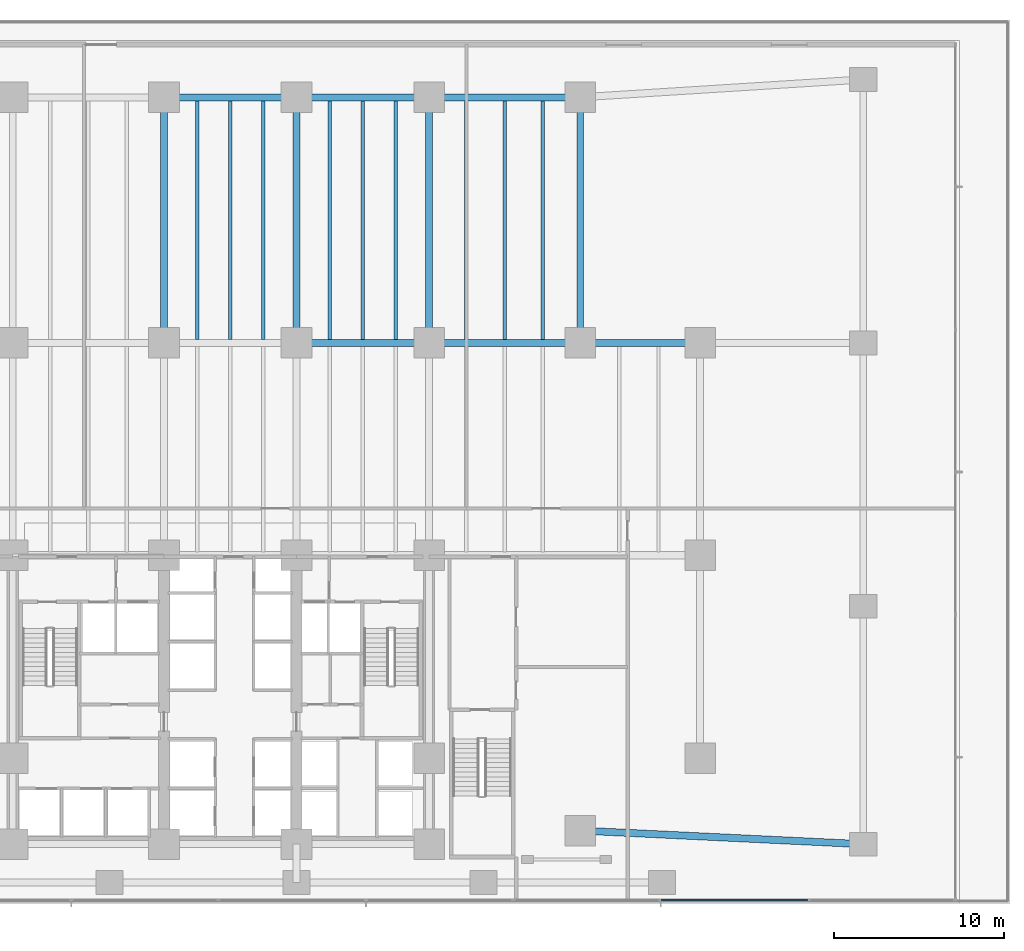
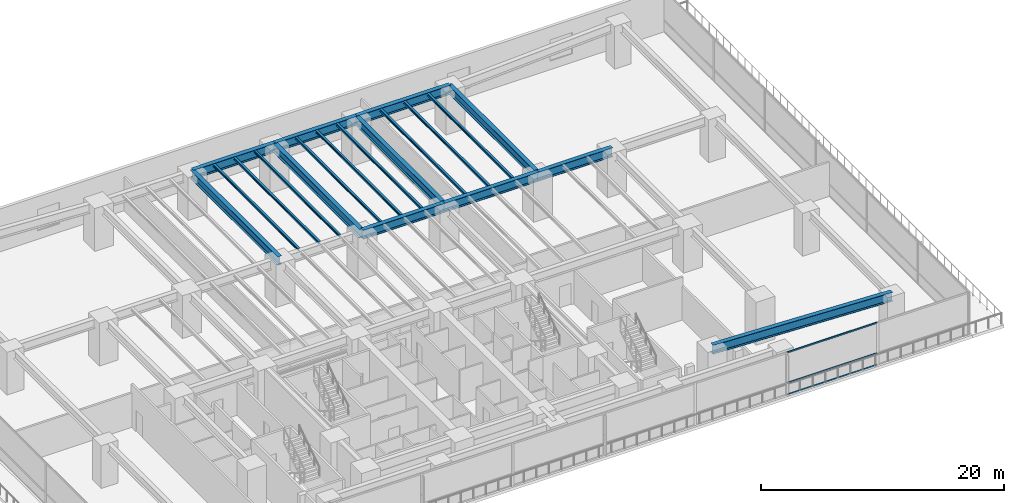
# One storey, part 6 of 27: 20 beams, 3 members, 1 element without a shape of its own.
"""IFC4 building model written with IfcOpenShell, lengths in metres."""

from ifc_helpers import new_model, si_unit, direction, frame, origin, origin_2d, place, context, subcontext, project, spatial, rectangle, i_section, extrude, material, layer, layer_set, material_profile, profile_set, type_object, element, aggregate, save


model = new_model("IFC4")

# Units and contexts
model_context = context("Model", 3, precision=1e-05, world=origin(), true_north=direction((0.0, 1.0)))
body_context = subcontext(model_context, "Body", "Model", "MODEL_VIEW")
ifc_project = project(units=[si_unit("LENGTHUNIT", "METRE"), si_unit("AREAUNIT", "SQUARE_METRE"), si_unit("VOLUMEUNIT", "CUBIC_METRE"), si_unit("PLANEANGLEUNIT", "RADIAN"), si_unit("MASSUNIT", "GRAM", prefix="KILO")], contexts=[model_context])

# Site, building, storey
site_placement = place(None, origin())
site = spatial("IfcSite", under=ifc_project, at=site_placement, CompositionType="ELEMENT")
building_placement = place(site_placement, origin())
building = spatial("IfcBuilding", under=site, at=building_placement, Name="Qalmaran Belvedere Hotel", CompositionType="ELEMENT")
storey_placement = place(building_placement, frame((0.0, 0.0, 5.39990234375)))
storey = spatial("IfcBuildingStorey", under=building, at=storey_placement, Name="L01", CompositionType="ELEMENT", Elevation=5.39990234375)

# Beams
ifc_material_1 = material(Name="Steel S355JR", Category="steel")
ifc_material_profile_1 = material_profile(ifc_material_1, i_section(OverallWidth=0.201904296875, OverallDepth=0.2470703125, WebThickness=0.00732421875, FlangeThickness=0.010986328125, FilletRadius=0.011962890625, at=origin_2d()), Name="W250X49")
ifc_profile_set_1 = profile_set([ifc_material_profile_1], Name="Steel S355JR")
beam_type_1 = type_object("IfcBeamType", Name="BM-JST-W250X49", PredefinedType="JOIST", material=ifc_profile_set_1)
for number, where, z_axis, x_axis, name in (
    (1, (31.14990234375, 33.20703125, 4.176513671875), (0.0, 1.0, 0.0), (-1.0, 0.0, 0.0), "L01 Podium North-Ballroom Joist 067"),
    (2, (33.10009765625, 33.20703125, 4.176513671875), (0.0, 1.0, 0.0), (-1.0, 0.0, 0.0), "L01 Podium North-Ballroom Joist 069"),
    (3, (35.050048828125, 33.20703125, 4.176513671875), (0.0, 1.0, 0.0), (-1.0, 0.0, 0.0), "L01 Podium North-Ballroom Joist 071"),
    (4, (38.949951171875, 33.20703125, 4.176513671875), (0.0, 1.0, 0.0), (-1.0, 0.0, 0.0), "L01 Podium North-Ballroom Joist 073"),
    (5, (40.89990234375, 33.20703125, 4.176513671875), (0.0, 1.0, 0.0), (-1.0, 0.0, 0.0), "L01 Podium North-Ballroom Joist 075"),
    (6, (42.85009765625, 33.20703125, 4.176513671875), (0.0, 1.0, 0.0), (-1.0, 0.0, 0.0), "L01 Podium North-Ballroom Joist 077"),
    (7, (47.0, 33.20703125, 4.176513671875), (0.0, 1.0, 0.0), (-1.0, 0.0, 0.0), "L01 Podium North-Ballroom Joist 079"),
    (8, (49.25, 33.20703125, 4.176513671875), (0.0, 1.0, 0.0), (-1.0, 0.0, 0.0), "L01 Podium North-Ballroom Joist 081"),
    (9, (51.5, 33.20703125, 4.176513671875), (0.0, 1.0, 0.0), (-1.0, 0.0, 0.0), "L01 Podium North-Ballroom Joist 083"),
):
    element("IfcBeam", number, at=place(storey_placement, frame(where, z_axis=z_axis, x_axis=x_axis)), inside=storey, type_object=beam_type_1, Name=name, PredefinedType="JOIST", context=body_context, shape_type="SweptSolid", body=[
        extrude(i_section(OverallWidth=0.201904296875, OverallDepth=0.2470703125, WebThickness=0.00732421875, FlangeThickness=0.010986328125, FilletRadius=0.011962890625, at=origin_2d()), origin(), (0.0, 0.0, 1.0), 14.035888671875),
    ])
ifc_material_profile_2 = material_profile(ifc_material_1, i_section(OverallWidth=0.41796875, OverallDepth=0.912109375, WebThickness=0.019287109375, FlangeThickness=0.031982421875, FilletRadius=0.02392578125, at=origin_2d()), Name="W920X342")
ifc_profile_set_2 = profile_set([ifc_material_profile_2], Name="Steel S355JR")
beam_type_2 = type_object("IfcBeamType", Name="BM-PG2-W920X342", PredefinedType="USERDEFINED", material=ifc_profile_set_2)
beam_1_placement = place(storey_placement, frame((53.699951171875, 4.300048828125, 3.843994140625), z_axis=(0.998847567159, -0.047995182885, 0.0), x_axis=(0.047995182885, 0.998847567159, 0.0)))
element("IfcBeam", 10, at=beam_1_placement, inside=storey, type_object=beam_type_2, Name="L01 Podium Primary Girder GX10", ObjectType="GIRDER", PredefinedType="USERDEFINED", context=body_context, shape_type="SweptSolid", body=[
    extrude(i_section(OverallWidth=0.41796875, OverallDepth=0.912109375, WebThickness=0.019287109375, FlangeThickness=0.031982421875, FilletRadius=0.02392578125, at=origin_2d()), origin(), (0.0, 0.0, 1.0), 16.66943359375),
])
beam_2_placement = place(storey_placement, frame((37.0, 33.0, 3.843994140625), z_axis=(1.0, 0.0, 0.0), x_axis=(0.0, 1.0, 0.0)))
element("IfcBeam", 11, at=beam_2_placement, inside=storey, type_object=beam_type_2, Name="L01 Podium Primary Girder GX22", ObjectType="GIRDER", PredefinedType="USERDEFINED", context=body_context, shape_type="SweptSolid", body=[
    extrude(i_section(OverallWidth=0.41796875, OverallDepth=0.912109375, WebThickness=0.019287109375, FlangeThickness=0.031982421875, FilletRadius=0.02392578125, at=origin_2d()), origin(), (0.0, 0.0, 1.0), 7.800048828125),
])
beam_3_placement = place(storey_placement, frame((44.800048828125, 33.0, 3.843994140625), z_axis=(1.0, 0.0, 0.0), x_axis=(0.0, 1.0, 0.0)))
element("IfcBeam", 12, at=beam_3_placement, inside=storey, type_object=beam_type_2, Name="L01 Podium Primary Girder GX23", ObjectType="GIRDER", PredefinedType="USERDEFINED", context=body_context, shape_type="SweptSolid", body=[
    extrude(i_section(OverallWidth=0.41796875, OverallDepth=0.912109375, WebThickness=0.019287109375, FlangeThickness=0.031982421875, FilletRadius=0.02392578125, at=origin_2d()), origin(), (0.0, 0.0, 1.0), 8.89990234375),
])
beam_4_placement = place(storey_placement, frame((53.699951171875, 33.0, 3.843994140625), z_axis=(1.0, 0.0, 0.0), x_axis=(0.0, 1.0, 0.0)))
element("IfcBeam", 13, at=beam_4_placement, inside=storey, type_object=beam_type_2, Name="L01 Podium Primary Girder GX24", ObjectType="GIRDER", PredefinedType="USERDEFINED", context=body_context, shape_type="SweptSolid", body=[
    extrude(i_section(OverallWidth=0.41796875, OverallDepth=0.912109375, WebThickness=0.019287109375, FlangeThickness=0.031982421875, FilletRadius=0.02392578125, at=origin_2d()), origin(), (0.0, 0.0, 1.0), 7.050048828125),
])
for number, where, z_axis, x_axis, name in (
    (14, (29.199951171875, 47.449951171875, 3.843994140625), (1.0, 0.0, 0.0), (0.0, 1.0, 0.0), "L01 Podium Primary Girder GX28"),
    (15, (37.0, 47.449951171875, 3.843994140625), (1.0, 0.0, 0.0), (0.0, 1.0, 0.0), "L01 Podium Primary Girder GX29"),
):
    element("IfcBeam", number, at=place(storey_placement, frame(where, z_axis=z_axis, x_axis=x_axis)), inside=storey, type_object=beam_type_2, Name=name, ObjectType="GIRDER", PredefinedType="USERDEFINED", context=body_context, shape_type="SweptSolid", body=[
        extrude(i_section(OverallWidth=0.41796875, OverallDepth=0.912109375, WebThickness=0.019287109375, FlangeThickness=0.031982421875, FilletRadius=0.02392578125, at=origin_2d()), origin(), (0.0, 0.0, 1.0), 7.800048828125),
    ])
beam_5_placement = place(storey_placement, frame((44.800048828125, 47.449951171875, 3.843994140625), z_axis=(1.0, 0.0, 0.0), x_axis=(0.0, 1.0, 0.0)))
element("IfcBeam", 16, at=beam_5_placement, inside=storey, type_object=beam_type_2, Name="L01 Podium Primary Girder GX30", ObjectType="GIRDER", PredefinedType="USERDEFINED", context=body_context, shape_type="SweptSolid", body=[
    extrude(i_section(OverallWidth=0.41796875, OverallDepth=0.912109375, WebThickness=0.019287109375, FlangeThickness=0.031982421875, FilletRadius=0.02392578125, at=origin_2d()), origin(), (0.0, 0.0, 1.0), 8.89990234375),
])
ifc_material_profile_3 = material_profile(ifc_material_1, i_section(OverallWidth=0.39990234375, OverallDepth=0.85498046875, WebThickness=0.018310546875, FlangeThickness=0.029296875, FilletRadius=0.02392578125, at=origin_2d()), Name="W840X299")
ifc_profile_set_3 = profile_set([ifc_material_profile_3], Name="Steel S355JR")
beam_type_3 = type_object("IfcBeamType", Name="BM-PG3-W840X299", PredefinedType="USERDEFINED", material=ifc_profile_set_3)
for number, where, z_axis, x_axis, name in (
    (17, (29.199951171875, 33.0, 3.87255859375), (0.0, 1.0, 0.0), (-1.0, 0.0, 0.0), "L01 Podium Transverse Girder GY43"),
    (18, (37.0, 33.0, 3.87255859375), (0.0, 1.0, 0.0), (-1.0, 0.0, 0.0), "L01 Podium Transverse Girder GY47"),
    (19, (44.800048828125, 33.0, 3.87255859375), (0.0, 1.0, 0.0), (-1.0, 0.0, 0.0), "L01 Podium Transverse Girder GY51"),
    (20, (53.699951171875, 33.0, 3.87255859375), (0.0, 1.0, 0.0), (-1.0, 0.0, 0.0), "L01 Podium Transverse Girder GY52"),
):
    element("IfcBeam", number, at=place(storey_placement, frame(where, z_axis=z_axis, x_axis=x_axis)), inside=storey, type_object=beam_type_3, Name=name, ObjectType="GIRDER", PredefinedType="USERDEFINED", context=body_context, shape_type="SweptSolid", body=[
        extrude(i_section(OverallWidth=0.39990234375, OverallDepth=0.85498046875, WebThickness=0.018310546875, FlangeThickness=0.029296875, FilletRadius=0.02392578125, at=origin_2d()), origin(), (0.0, 0.0, 1.0), 14.449951171875),
    ])

# Curtain wall, members
ifc_material_2 = material(Name="Anodised Bronze Aluminium", Category="aluminium")
ifc_layer = layer(ifc_material_2, 0.219970703125, Name="Anodised Bronze Aluminium")
ifc_layer_set = layer_set([ifc_layer], Name="Anodised Bronze Aluminium")
curtain_wall_type = type_object("IfcCurtainWallType", Name="CW1-PODIUM-BRONZE", PredefinedType="NOTDEFINED", material=ifc_layer_set)
curtain_wall_placement = place(storey_placement, origin())
curtain_wall = element("IfcCurtainWall", 21, at=curtain_wall_placement, inside=storey, type_object=curtain_wall_type, Name="L01 Curtain Wall CW1", PredefinedType="NOTDEFINED")
ifc_material_profile_4 = material_profile(ifc_material_2, rectangle(XDim=0.070068359375, YDim=0.14990234375, at=origin_2d()), Name="CWT70X150")
ifc_profile_set_4 = profile_set([ifc_material_profile_4], Name="Anodised Bronze Aluminium")
member_type = type_object("IfcMemberType", Name="CWT-70X150", PredefinedType="USERDEFINED", material=ifc_profile_set_4)
member_1_placement = place(storey_placement, frame((58.470947265625, 0.219970703125, 0.03515625), z_axis=(1.0, 0.0, 0.0), x_axis=(0.0, 1.0, 0.0)))
member_1 = element("IfcMember", 22, at=member_1_placement, type_object=member_type, Name="CW1 transom 8.1", ObjectType="TRANSOM", PredefinedType="USERDEFINED", context=body_context, shape_type="SweptSolid", body=[
    extrude(rectangle(XDim=0.070068359375, YDim=0.14990234375, at=origin_2d()), origin(), (0.0, 0.0, 1.0), 8.59814453125),
])
member_2_placement = place(storey_placement, frame((58.470947265625, 0.219970703125, 1.2041015625), z_axis=(1.0, 0.0, 0.0), x_axis=(0.0, 1.0, 0.0)))
member_2 = element("IfcMember", 23, at=member_2_placement, type_object=member_type, Name="CW1 transom 8.2", ObjectType="TRANSOM", PredefinedType="USERDEFINED", context=body_context, shape_type="SweptSolid", body=[
    extrude(rectangle(XDim=0.070068359375, YDim=0.14990234375, at=origin_2d()), origin(), (0.0, 0.0, 1.0), 8.59814453125),
])
member_3_placement = place(storey_placement, frame((58.470947265625, 0.219970703125, 4.26513671875), z_axis=(1.0, 0.0, 0.0), x_axis=(0.0, 1.0, 0.0)))
member_3 = element("IfcMember", 24, at=member_3_placement, type_object=member_type, Name="CW1 transom 8.3", ObjectType="TRANSOM", PredefinedType="USERDEFINED", context=body_context, shape_type="SweptSolid", body=[
    extrude(rectangle(XDim=0.070068359375, YDim=0.14990234375, at=origin_2d()), origin(), (0.0, 0.0, 1.0), 8.59814453125),
])
aggregate(curtain_wall, [member_1, member_2, member_3])

save(model, "model.ifc")
